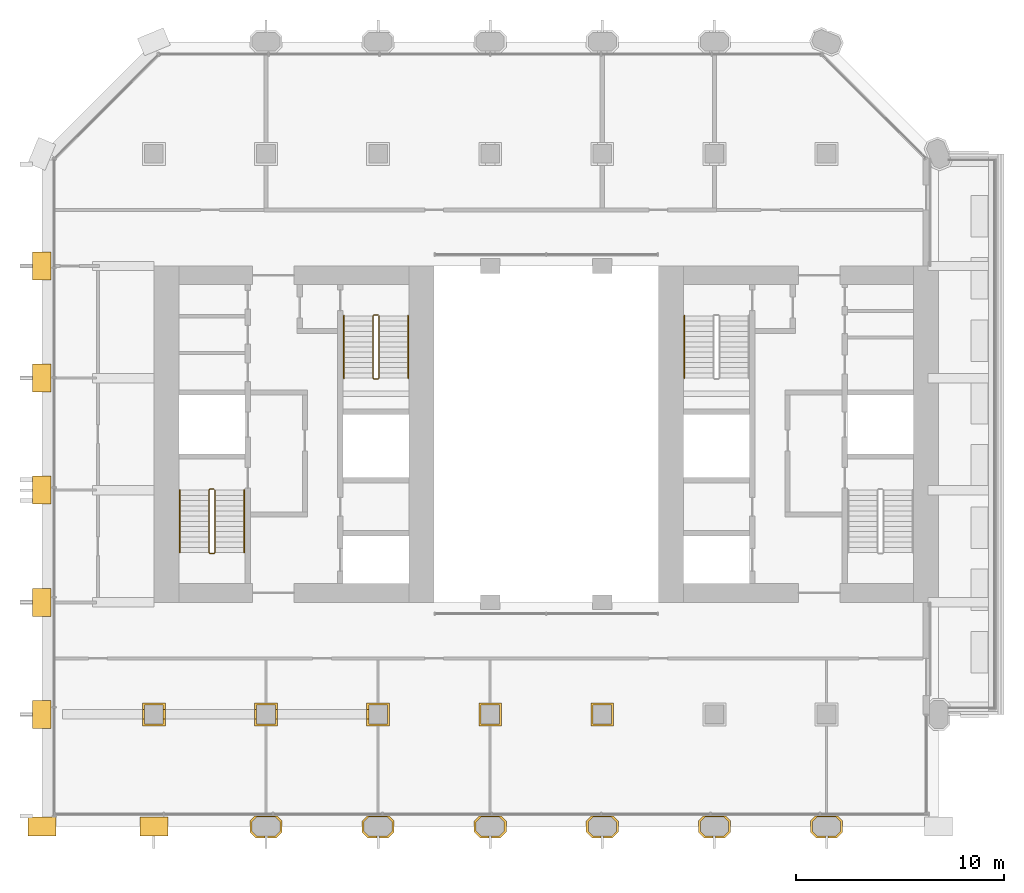
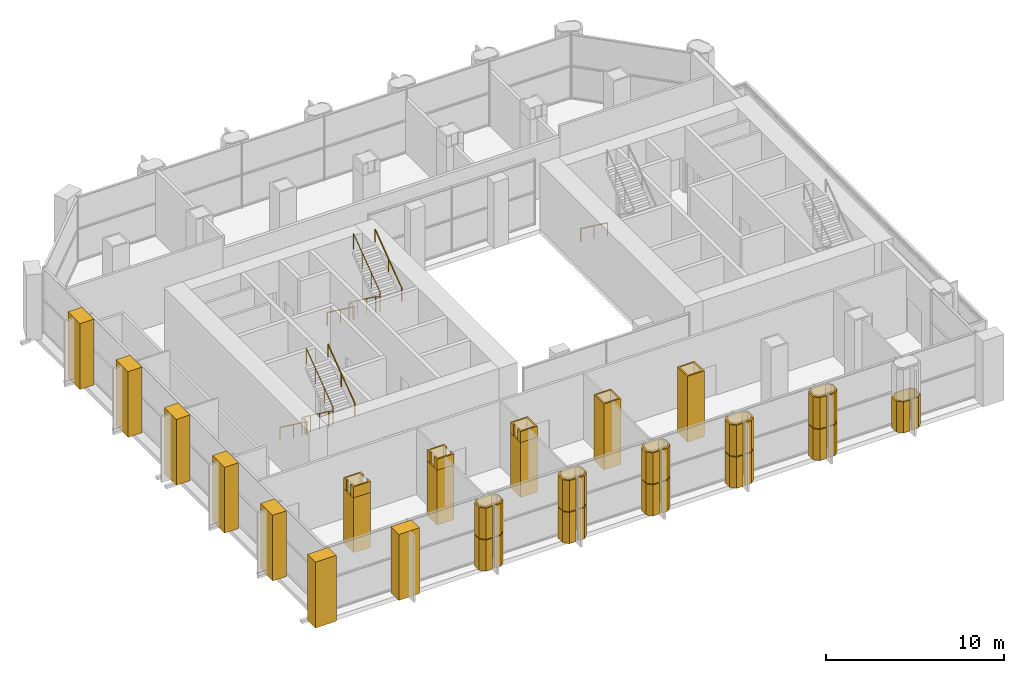
# One storey, part 13 of 15: 28 coverings, 7 railings.
"""IFC4 building model written with IfcOpenShell, lengths in metres."""

import ifcopenshell
import ifcopenshell.guid

model = None  # the IFC model being written
_history = None  # IfcOwnerHistory: only IFC2X3 demands one
_inside = {}  # id of a spatial element -> (the spatial element, [elements in it])
_under = {}  # id of a project, library or spatial element -> (it, [spatial elements below it])
_declared = {}  # id of a project -> (the project, [libraries it declares])
_typed = {}  # id of a type object -> (the type object, [elements of that type])
_made_of = {}  # id of a material, layer set ... -> (it, [elements and type objects made of it])


def new_model(schema):
    """Start an empty IFC model of exactly this schema.

    Asked for "IFC4X3", IfcOpenShell would pick the latest addendum, in which some entities
    have other attributes; the version numbers below select the first issue.
    IFC2X3 requires an IfcOwnerHistory on every rooted entity: one is made here for all.
    """
    global model, _history
    if schema == "IFC4X3":
        model = ifcopenshell.file(schema_version=(4, 3, 0, 0))
    else:
        model = ifcopenshell.file(schema=schema)
    _inside.clear()
    _under.clear()
    _declared.clear()
    _typed.clear()
    _made_of.clear()
    _history = None
    if model.schema == "IFC2X3":
        org = make("IfcOrganization", Name="unknown")
        user = make(
            "IfcPersonAndOrganization",
            ThePerson=make("IfcPerson", FamilyName="unknown"),
            TheOrganization=org,
        )
        app = make(
            "IfcApplication",
            ApplicationDeveloper=org,
            Version="unknown",
            ApplicationFullName="unknown",
            ApplicationIdentifier="unknown",
        )
        _history = make(
            "IfcOwnerHistory",
            OwningUser=user,
            OwningApplication=app,
            ChangeAction="ADDED",
            CreationDate=0,
        )
    return model


def make(cls, **values):
    """One entity of the class cls with the attributes given. An attribute that is None is left unset."""
    return model.create_entity(
        cls, **{name: value for name, value in values.items() if value is not None}
    )


def rooted(cls, **values):
    """An entity with a GlobalId (a new one), such as an element, a storey or a relation."""
    return make(cls, GlobalId=ifcopenshell.guid.new(), OwnerHistory=_history, **values)


def si_unit(unit_type, name, prefix=None):
    """IfcSIUnit, for example si_unit("LENGTHUNIT", "METRE", prefix="MILLI")."""
    return make("IfcSIUnit", UnitType=unit_type, Prefix=prefix, Name=name)


def assignment(units):
    """IfcUnitAssignment: the units of a project."""
    return None if units is None else make("IfcUnitAssignment", Units=units)


def point(xyz):
    """IfcCartesianPoint."""
    return None if xyz is None else make("IfcCartesianPoint", Coordinates=xyz)


def direction(xyz):
    """IfcDirection."""
    return None if xyz is None else make("IfcDirection", DirectionRatios=xyz)


def frame(location, z_axis=None, x_axis=None):
    """IfcAxis2Placement3D, a coordinate frame: its origin and axes. An axis left out is left unset."""
    return make(
        "IfcAxis2Placement3D",
        Location=point(location),
        Axis=direction(z_axis),
        RefDirection=direction(x_axis),
    )


def frame_2d(location, x_axis=None):
    """IfcAxis2Placement2D, a coordinate frame in the plane: its origin and x axis."""
    return make(
        "IfcAxis2Placement2D", Location=point(location), RefDirection=direction(x_axis)
    )


def origin():
    """The frame at (0, 0, 0) with its axes left unset."""
    return frame((0.0, 0.0, 0.0))


def origin_2d():
    """The frame at (0, 0) in the plane with its x axis left unset."""
    return frame_2d((0.0, 0.0))


def place(relative_to, where):
    """IfcLocalPlacement: puts the frame where relative to a parent placement (None: the world)."""
    return make(
        "IfcLocalPlacement", PlacementRelTo=relative_to, RelativePlacement=where
    )


def context(
    kind, dimensions, precision=None, world=None, true_north=None, identifier=None
):
    """IfcGeometricRepresentationContext, for example the 3D "Model" context."""
    return make(
        "IfcGeometricRepresentationContext",
        ContextIdentifier=identifier,
        ContextType=kind,
        CoordinateSpaceDimension=dimensions,
        Precision=precision,
        WorldCoordinateSystem=world,
        TrueNorth=true_north,
    )


def subcontext(parent, identifier, kind, view, scale=None):
    """IfcGeometricRepresentationSubContext, for example "Body" below "Model"."""
    return make(
        "IfcGeometricRepresentationSubContext",
        ContextIdentifier=identifier,
        ContextType=kind,
        ParentContext=parent,
        TargetScale=scale,
        TargetView=view,
    )


def project(units=None, contexts=None):
    """IfcProject with its units and contexts."""
    return rooted(
        "IfcProject",
        Name="project",
        RepresentationContexts=contexts,
        UnitsInContext=assignment(units),
    )


def spatial(cls, under=None, at=None, **own):
    """A site, building, storey or space (cls), placed at a placement, below another one or the project."""
    s = rooted(cls, ObjectPlacement=at, **own)
    if under is not None:
        _under.setdefault(under.id(), (under, []))[1].append(s)
    return s


def polyline(points):
    """IfcPolyline through the points."""
    return make("IfcPolyline", Points=[point(p) for p in points])


def profile(cls, at=None, kind="AREA", **sizes):
    """A parametric profile (cls). Its sizes go by their IFC names, for example OverallWidth=200.0."""
    return make(cls, ProfileType=kind, Position=at, **sizes)


def rectangle(**sizes):
    """IfcRectangleProfileDef."""
    return profile("IfcRectangleProfileDef", **sizes)


def circle(**sizes):
    """IfcCircleProfileDef."""
    return profile("IfcCircleProfileDef", **sizes)


def outline(outer, holes=None, kind="AREA"):
    """IfcArbitraryClosedProfileDef: a profile drawn as a closed curve; with holes, ...WithVoids."""
    if holes is None:
        return make("IfcArbitraryClosedProfileDef", ProfileType=kind, OuterCurve=outer)
    return make(
        "IfcArbitraryProfileDefWithVoids",
        ProfileType=kind,
        OuterCurve=outer,
        InnerCurves=holes,
    )


def extrude(swept, where, along, depth):
    """IfcExtrudedAreaSolid: the profile swept, set in the frame where, extruded along a direction by depth."""
    return make(
        "IfcExtrudedAreaSolid",
        SweptArea=swept,
        Position=where,
        ExtrudedDirection=direction(along),
        Depth=depth,
    )


def shape(context_of_items, identifier, shape_type, items):
    """IfcShapeRepresentation: the items that make up one representation, for example the "Body"."""
    return make(
        "IfcShapeRepresentation",
        ContextOfItems=context_of_items,
        RepresentationIdentifier=identifier,
        RepresentationType=shape_type,
        Items=items,
    )


def material(Name=None, Category=None):
    """IfcMaterial."""
    return make("IfcMaterial", Name=Name, Category=Category)


def layer(
    of_material, thickness, ventilated=None, Name=None, Category=None, Priority=None
):
    """IfcMaterialLayer: one layer of a wall or slab, of a material (None: an air gap)."""
    return make(
        "IfcMaterialLayer",
        Material=of_material,
        LayerThickness=thickness,
        IsVentilated=ventilated,
        Name=Name,
        Category=Category,
        Priority=Priority,
    )


def layer_set(layers, Name=None):
    """IfcMaterialLayerSet."""
    return make("IfcMaterialLayerSet", MaterialLayers=layers, LayerSetName=Name)


def made_of(thing, what):
    """Note that an element or type object is made of a material, layer set ...; save() writes the relation."""
    if what is not None:
        _made_of.setdefault(what.id(), (what, []))[1].append(thing)
    return thing


def type_object(cls, material=None, **own):
    """A type object (cls), such as IfcWallType, which elements share."""
    return made_of(rooted(cls, **own), material)


def element(
    cls,
    number,
    at=None,
    inside=None,
    cuts=None,
    type_object=None,
    material=None,
    context=None,
    identifier="Body",
    shape_type=None,
    held_by="IfcProductDefinitionShape",
    body=None,
    shapes=None,
    **own,
):
    """One element of the class cls, such as IfcWall. Its Tag is "e" and its number.

    at: its placement. inside: the storey or other place that contains it. cuts: it is an
    opening in that element (IfcRelVoidsElement). A single representation is given by context,
    identifier, shape_type and body (its items); several are given by shapes. held_by: the class
    of the entity that holds the representations. save() writes the other relations.
    """
    e = rooted(cls, Tag="e%d" % number, ObjectPlacement=at, **own)
    if body is not None:
        shapes = [shape(context, identifier, shape_type, body)]
    if shapes is not None:
        e.Representation = make(held_by, Representations=shapes)
    if inside is not None:
        _inside.setdefault(inside.id(), (inside, []))[1].append(e)
    if cuts is not None:
        rooted(
            "IfcRelVoidsElement", RelatingBuildingElement=cuts, RelatedOpeningElement=e
        )
    if type_object is not None:
        _typed.setdefault(type_object.id(), (type_object, []))[1].append(e)
    return made_of(e, material)


def aggregate(whole, parts):
    """IfcRelAggregates: a whole, such as a stair, and the parts it consists of."""
    return rooted("IfcRelAggregates", RelatingObject=whole, RelatedObjects=parts)


def save(model, path):
    """Write the relations noted so far, then the file.

    IfcRelAggregates (storeys below a building ...), IfcRelContainedInSpatialStructure (elements
    in a storey), IfcRelDefinesByType, IfcRelAssociatesMaterial and IfcRelDeclares: one each for
    every whole, place, type object, material and project.
    """
    for whole, parts in _under.values():
        aggregate(whole, parts)
    for where, things in _inside.values():
        rooted(
            "IfcRelContainedInSpatialStructure",
            RelatedElements=things,
            RelatingStructure=where,
        )
    for kind, things in _typed.values():
        rooted("IfcRelDefinesByType", RelatedObjects=things, RelatingType=kind)
    for what, things in _made_of.values():
        rooted("IfcRelAssociatesMaterial", RelatedObjects=things, RelatingMaterial=what)
    for by, libraries in _declared.values():
        rooted("IfcRelDeclares", RelatingContext=by, RelatedDefinitions=libraries)
    model.write(path)


model = new_model("IFC4")

# Units and contexts
model_context = context("Model", 3, precision=1e-05, world=origin(), true_north=direction((0.0, 1.0)))
body_context = subcontext(model_context, "Body", "Model", "MODEL_VIEW")
ifc_project = project(units=[si_unit("LENGTHUNIT", "METRE"), si_unit("AREAUNIT", "SQUARE_METRE"), si_unit("VOLUMEUNIT", "CUBIC_METRE"), si_unit("PLANEANGLEUNIT", "RADIAN"), si_unit("MASSUNIT", "GRAM", prefix="KILO")], contexts=[model_context])

# Site, building, storey
site_placement = place(None, origin())
site = spatial("IfcSite", under=ifc_project, at=site_placement, CompositionType="ELEMENT")
building_placement = place(site_placement, origin())
building = spatial("IfcBuilding", under=site, at=building_placement, Name="Tabaq Tower and Sports Hall", CompositionType="ELEMENT")
storey_placement = place(building_placement, frame((0.0, 0.0, 143.199951171875)))
storey = spatial("IfcBuildingStorey", under=building, at=storey_placement, Name="L33", CompositionType="ELEMENT", Elevation=143.199951171875)

# Coverings
ifc_material_1 = material(Name="Precast concrete C60/75", Category="concrete")
ifc_layer = layer(ifc_material_1, 0.10009765625)
ifc_layer_set = layer_set([ifc_layer], Name="Column cladding 100")
covering_type_1 = type_object("IfcCoveringType", Name="Column cladding 100", PredefinedType="CLADDING", material=ifc_layer_set)
covering_1_placement = place(storey_placement, origin())
element("IfcCovering", 1, at=covering_1_placement, inside=storey, type_object=covering_type_1, Name="Column cladding L33 CC-2C-S1", PredefinedType="CLADDING", context=body_context, shape_type="SweptSolid", body=[
    extrude(outline(polyline([(4.850341796875, 11.349609375), (5.94970703125, 11.349609375), (5.94970703125, 10.250244140625), (4.850341796875, 10.250244140625), (4.850341796875, 11.349609375)]), holes=[polyline([(5.850341796875, 10.349609375), (5.850341796875, 11.250244140625), (4.94970703125, 11.250244140625), (4.94970703125, 10.349609375), (5.850341796875, 10.349609375)])]), origin(), (0.0, 0.0, 1.0), 3.75),
])
covering_2_placement = place(storey_placement, frame((0.0, 0.0, 3.75)))
element("IfcCovering", 2, at=covering_2_placement, inside=storey, type_object=covering_type_1, Name="Column cladding L33 CC-2C-S1 head", PredefinedType="CLADDING", context=body_context, shape_type="SweptSolid", body=[
    extrude(outline(polyline([(5.94970703125, 10.250244140625), (4.850341796875, 10.250244140625), (4.850341796875, 10.57470703125), (4.94970703125, 10.57470703125), (4.94970703125, 10.349609375), (5.850341796875, 10.349609375), (5.850341796875, 10.57470703125), (5.94970703125, 10.57470703125), (5.94970703125, 10.250244140625)])), origin(), (0.0, 0.0, 1.0), 0.75),
])
covering_3_placement = place(storey_placement, frame((0.0, 0.0, 3.75)))
element("IfcCovering", 3, at=covering_3_placement, inside=storey, type_object=covering_type_1, Name="Column cladding L33 CC-2C-S1 head 2", PredefinedType="CLADDING", context=body_context, shape_type="SweptSolid", body=[
    extrude(outline(polyline([(5.94970703125, 11.349609375), (5.94970703125, 11.025390625), (5.850341796875, 11.025390625), (5.850341796875, 11.250244140625), (4.94970703125, 11.250244140625), (4.94970703125, 11.025390625), (4.850341796875, 11.025390625), (4.850341796875, 11.349609375), (5.94970703125, 11.349609375)])), origin(), (0.0, 0.0, 1.0), 0.75),
])
covering_4_placement = place(storey_placement, frame((0.0, 0.0, 0.10009765625)))
element("IfcCovering", 4, at=covering_4_placement, inside=storey, type_object=covering_type_1, Name="Column cladding L33 PC-3B-S1", PredefinedType="CLADDING", context=body_context, shape_type="SweptSolid", body=[
    extrude(outline(polyline([(10.025390625, 5.666259765625), (10.268798828125, 5.90966796875), (11.331298828125, 5.90966796875), (11.57470703125, 5.666259765625), (11.57470703125, 5.1337890625), (11.291259765625, 4.850341796875), (10.8603515625, 4.850341796875), (10.8603515625, 4.94970703125), (11.250244140625, 4.94970703125), (11.475341796875, 5.1748046875), (11.475341796875, 5.625244140625), (11.250244140625, 5.850341796875), (10.349853515625, 5.850341796875), (10.124755859375, 5.625244140625), (10.124755859375, 5.1748046875), (10.349853515625, 4.94970703125), (10.73974609375, 4.94970703125), (10.73974609375, 4.850341796875), (10.30859375, 4.850341796875), (10.025390625, 5.1337890625), (10.025390625, 5.666259765625)])), origin(), (0.0, 0.0, 1.0), 2.119873046875),
])
covering_5_placement = place(storey_placement, frame((0.0, 0.0, 2.280029296875)))
element("IfcCovering", 5, at=covering_5_placement, inside=storey, type_object=covering_type_1, Name="Column cladding L33 PC-3B-S1 2", PredefinedType="CLADDING", context=body_context, shape_type="SweptSolid", body=[
    extrude(outline(polyline([(10.025390625, 5.666259765625), (10.268798828125, 5.90966796875), (11.331298828125, 5.90966796875), (11.57470703125, 5.666259765625), (11.57470703125, 5.1337890625), (11.291259765625, 4.850341796875), (10.8603515625, 4.850341796875), (10.8603515625, 4.94970703125), (11.250244140625, 4.94970703125), (11.475341796875, 5.1748046875), (11.475341796875, 5.625244140625), (11.250244140625, 5.850341796875), (10.349853515625, 5.850341796875), (10.124755859375, 5.625244140625), (10.124755859375, 5.1748046875), (10.349853515625, 4.94970703125), (10.73974609375, 4.94970703125), (10.73974609375, 4.850341796875), (10.30859375, 4.850341796875), (10.025390625, 5.1337890625), (10.025390625, 5.666259765625)])), origin(), (0.0, 0.0, 1.0), 2.1201171875),
])
covering_6_placement = place(storey_placement, origin())
element("IfcCovering", 6, at=covering_6_placement, inside=storey, type_object=covering_type_1, Name="Column cladding L33 CC-3C-S1", PredefinedType="CLADDING", context=body_context, shape_type="SweptSolid", body=[
    extrude(outline(polyline([(10.250244140625, 11.349609375), (11.349609375, 11.349609375), (11.349609375, 10.250244140625), (10.250244140625, 10.250244140625), (10.250244140625, 11.349609375)]), holes=[polyline([(11.250244140625, 10.349609375), (11.250244140625, 11.250244140625), (10.349609375, 11.250244140625), (10.349609375, 10.349609375), (11.250244140625, 10.349609375)])]), origin(), (0.0, 0.0, 1.0), 3.75),
])
covering_7_placement = place(storey_placement, frame((0.0, 0.0, 3.75)))
element("IfcCovering", 7, at=covering_7_placement, inside=storey, type_object=covering_type_1, Name="Column cladding L33 CC-3C-S1 head", PredefinedType="CLADDING", context=body_context, shape_type="SweptSolid", body=[
    extrude(outline(polyline([(10.349365234375, 10.574462890625), (10.349365234375, 10.349365234375), (11.25048828125, 10.349365234375), (11.25048828125, 10.574462890625), (11.349365234375, 10.574462890625), (11.349365234375, 10.25048828125), (10.25048828125, 10.25048828125), (10.25048828125, 10.574462890625), (10.349365234375, 10.574462890625)])), origin(), (0.0, 0.0, 1.0), 0.75),
])
covering_8_placement = place(storey_placement, frame((0.0, 0.0, 3.75)))
element("IfcCovering", 8, at=covering_8_placement, inside=storey, type_object=covering_type_1, Name="Column cladding L33 CC-3C-S1 head 2", PredefinedType="CLADDING", context=body_context, shape_type="SweptSolid", body=[
    extrude(outline(polyline([(10.349365234375, 11.025634765625), (10.25048828125, 11.025634765625), (10.25048828125, 11.349365234375), (11.349365234375, 11.349365234375), (11.349365234375, 11.025634765625), (11.25048828125, 11.025634765625), (11.25048828125, 11.25048828125), (10.349365234375, 11.25048828125), (10.349365234375, 11.025634765625)])), origin(), (0.0, 0.0, 1.0), 0.75),
])
covering_9_placement = place(storey_placement, frame((0.0, 0.0, 0.10009765625)))
element("IfcCovering", 9, at=covering_9_placement, inside=storey, type_object=covering_type_1, Name="Column cladding L33 PC-4B-S1", PredefinedType="CLADDING", context=body_context, shape_type="SweptSolid", body=[
    extrude(outline(polyline([(15.42529296875, 5.666259765625), (15.668701171875, 5.90966796875), (16.731201171875, 5.90966796875), (16.974609375, 5.666259765625), (16.974609375, 5.1337890625), (16.69140625, 4.850341796875), (16.26025390625, 4.850341796875), (16.26025390625, 4.94970703125), (16.650146484375, 4.94970703125), (16.875244140625, 5.1748046875), (16.875244140625, 5.625244140625), (16.650146484375, 5.850341796875), (15.749755859375, 5.850341796875), (15.524658203125, 5.625244140625), (15.524658203125, 5.1748046875), (15.749755859375, 4.94970703125), (16.1396484375, 4.94970703125), (16.1396484375, 4.850341796875), (15.708740234375, 4.850341796875), (15.42529296875, 5.1337890625), (15.42529296875, 5.666259765625)])), origin(), (0.0, 0.0, 1.0), 2.119873046875),
])
covering_10_placement = place(storey_placement, frame((0.0, 0.0, 2.280029296875)))
element("IfcCovering", 10, at=covering_10_placement, inside=storey, type_object=covering_type_1, Name="Column cladding L33 PC-4B-S1 2", PredefinedType="CLADDING", context=body_context, shape_type="SweptSolid", body=[
    extrude(outline(polyline([(15.42529296875, 5.666259765625), (15.668701171875, 5.90966796875), (16.731201171875, 5.90966796875), (16.974609375, 5.666259765625), (16.974609375, 5.1337890625), (16.69140625, 4.850341796875), (16.26025390625, 4.850341796875), (16.26025390625, 4.94970703125), (16.650146484375, 4.94970703125), (16.875244140625, 5.1748046875), (16.875244140625, 5.625244140625), (16.650146484375, 5.850341796875), (15.749755859375, 5.850341796875), (15.524658203125, 5.625244140625), (15.524658203125, 5.1748046875), (15.749755859375, 4.94970703125), (16.1396484375, 4.94970703125), (16.1396484375, 4.850341796875), (15.708740234375, 4.850341796875), (15.42529296875, 5.1337890625), (15.42529296875, 5.666259765625)])), origin(), (0.0, 0.0, 1.0), 2.1201171875),
])
covering_11_placement = place(storey_placement, origin())
element("IfcCovering", 11, at=covering_11_placement, inside=storey, type_object=covering_type_1, Name="Column cladding L33 CC-4C-S1", PredefinedType="CLADDING", context=body_context, shape_type="SweptSolid", body=[
    extrude(outline(polyline([(15.650390625, 11.349609375), (16.749755859375, 11.349609375), (16.749755859375, 10.250244140625), (15.650390625, 10.250244140625), (15.650390625, 11.349609375)]), holes=[polyline([(16.650390625, 10.349609375), (16.650390625, 11.250244140625), (15.749755859375, 11.250244140625), (15.749755859375, 10.349609375), (16.650390625, 10.349609375)])]), origin(), (0.0, 0.0, 1.0), 3.75),
])
covering_12_placement = place(storey_placement, frame((0.0, 0.0, 3.75)))
element("IfcCovering", 12, at=covering_12_placement, inside=storey, type_object=covering_type_1, Name="Column cladding L33 CC-4C-S1 head", PredefinedType="CLADDING", context=body_context, shape_type="SweptSolid", body=[
    extrude(outline(polyline([(16.749755859375, 11.349609375), (16.749755859375, 10.250244140625), (15.650390625, 10.250244140625), (15.650390625, 10.57470703125), (15.749755859375, 10.57470703125), (15.749755859375, 10.349609375), (16.650390625, 10.349609375), (16.650390625, 11.250244140625), (15.749755859375, 11.250244140625), (15.749755859375, 11.025390625), (15.650390625, 11.025390625), (15.650390625, 11.349609375), (16.749755859375, 11.349609375)])), origin(), (0.0, 0.0, 1.0), 0.75),
])
covering_13_placement = place(storey_placement, frame((0.0, 0.0, 0.10009765625)))
element("IfcCovering", 13, at=covering_13_placement, inside=storey, type_object=covering_type_1, Name="Column cladding L33 PC-5B-S1", PredefinedType="CLADDING", context=body_context, shape_type="SweptSolid", body=[
    extrude(outline(polyline([(20.8251953125, 5.666259765625), (21.068603515625, 5.90966796875), (22.13134765625, 5.90966796875), (22.374755859375, 5.666259765625), (22.374755859375, 5.1337890625), (22.09130859375, 4.850341796875), (21.660400390625, 4.850341796875), (21.660400390625, 4.94970703125), (22.050048828125, 4.94970703125), (22.275390625, 5.1748046875), (22.275390625, 5.625244140625), (22.050048828125, 5.850341796875), (21.14990234375, 5.850341796875), (20.9248046875, 5.625244140625), (20.9248046875, 5.1748046875), (21.14990234375, 4.94970703125), (21.539794921875, 4.94970703125), (21.539794921875, 4.850341796875), (21.108642578125, 4.850341796875), (20.8251953125, 5.1337890625), (20.8251953125, 5.666259765625)])), origin(), (0.0, 0.0, 1.0), 2.119873046875),
])
covering_14_placement = place(storey_placement, frame((0.0, 0.0, 2.280029296875)))
element("IfcCovering", 14, at=covering_14_placement, inside=storey, type_object=covering_type_1, Name="Column cladding L33 PC-5B-S1 2", PredefinedType="CLADDING", context=body_context, shape_type="SweptSolid", body=[
    extrude(outline(polyline([(20.8251953125, 5.666259765625), (21.068603515625, 5.90966796875), (22.13134765625, 5.90966796875), (22.374755859375, 5.666259765625), (22.374755859375, 5.1337890625), (22.09130859375, 4.850341796875), (21.660400390625, 4.850341796875), (21.660400390625, 4.94970703125), (22.050048828125, 4.94970703125), (22.275390625, 5.1748046875), (22.275390625, 5.625244140625), (22.050048828125, 5.850341796875), (21.14990234375, 5.850341796875), (20.9248046875, 5.625244140625), (20.9248046875, 5.1748046875), (21.14990234375, 4.94970703125), (21.539794921875, 4.94970703125), (21.539794921875, 4.850341796875), (21.108642578125, 4.850341796875), (20.8251953125, 5.1337890625), (20.8251953125, 5.666259765625)])), origin(), (0.0, 0.0, 1.0), 2.1201171875),
])
covering_15_placement = place(storey_placement, origin())
element("IfcCovering", 15, at=covering_15_placement, inside=storey, type_object=covering_type_1, Name="Column cladding L33 CC-5C-S1", PredefinedType="CLADDING", context=body_context, shape_type="SweptSolid", body=[
    extrude(outline(polyline([(21.05029296875, 11.349609375), (22.149658203125, 11.349609375), (22.149658203125, 10.250244140625), (21.05029296875, 10.250244140625), (21.05029296875, 11.349609375)]), holes=[polyline([(22.05029296875, 10.349609375), (22.05029296875, 11.250244140625), (21.149658203125, 11.250244140625), (21.149658203125, 10.349609375), (22.05029296875, 10.349609375)])]), origin(), (0.0, 0.0, 1.0), 4.5),
])
covering_16_placement = place(storey_placement, frame((0.0, 0.0, 0.10009765625)))
element("IfcCovering", 16, at=covering_16_placement, inside=storey, type_object=covering_type_1, Name="Column cladding L33 PC-6B-S1", PredefinedType="CLADDING", context=body_context, shape_type="SweptSolid", body=[
    extrude(outline(polyline([(26.225341796875, 5.666259765625), (26.46875, 5.90966796875), (27.53125, 5.90966796875), (27.774658203125, 5.666259765625), (27.774658203125, 5.1337890625), (27.4912109375, 4.850341796875), (27.060302734375, 4.850341796875), (27.060302734375, 4.94970703125), (27.4501953125, 4.94970703125), (27.67529296875, 5.1748046875), (27.67529296875, 5.625244140625), (27.4501953125, 5.850341796875), (26.5498046875, 5.850341796875), (26.32470703125, 5.625244140625), (26.32470703125, 5.1748046875), (26.5498046875, 4.94970703125), (26.939697265625, 4.94970703125), (26.939697265625, 4.850341796875), (26.5087890625, 4.850341796875), (26.225341796875, 5.1337890625), (26.225341796875, 5.666259765625)])), origin(), (0.0, 0.0, 1.0), 2.119873046875),
])
covering_17_placement = place(storey_placement, frame((0.0, 0.0, 2.280029296875)))
element("IfcCovering", 17, at=covering_17_placement, inside=storey, type_object=covering_type_1, Name="Column cladding L33 PC-6B-S1 2", PredefinedType="CLADDING", context=body_context, shape_type="SweptSolid", body=[
    extrude(outline(polyline([(26.225341796875, 5.666259765625), (26.46875, 5.90966796875), (27.53125, 5.90966796875), (27.774658203125, 5.666259765625), (27.774658203125, 5.1337890625), (27.4912109375, 4.850341796875), (27.060302734375, 4.850341796875), (27.060302734375, 4.94970703125), (27.4501953125, 4.94970703125), (27.67529296875, 5.1748046875), (27.67529296875, 5.625244140625), (27.4501953125, 5.850341796875), (26.5498046875, 5.850341796875), (26.32470703125, 5.625244140625), (26.32470703125, 5.1748046875), (26.5498046875, 4.94970703125), (26.939697265625, 4.94970703125), (26.939697265625, 4.850341796875), (26.5087890625, 4.850341796875), (26.225341796875, 5.1337890625), (26.225341796875, 5.666259765625)])), origin(), (0.0, 0.0, 1.0), 2.1201171875),
])
covering_18_placement = place(storey_placement, origin())
element("IfcCovering", 18, at=covering_18_placement, inside=storey, type_object=covering_type_1, Name="Column cladding L33 CC-6C-S1", PredefinedType="CLADDING", context=body_context, shape_type="SweptSolid", body=[
    extrude(outline(polyline([(26.4501953125, 11.349609375), (27.5498046875, 11.349609375), (27.5498046875, 10.250244140625), (26.4501953125, 10.250244140625), (26.4501953125, 11.349609375)]), holes=[polyline([(27.4501953125, 10.349609375), (27.4501953125, 11.250244140625), (26.5498046875, 11.250244140625), (26.5498046875, 10.349609375), (27.4501953125, 10.349609375)])]), origin(), (0.0, 0.0, 1.0), 4.5),
])
covering_19_placement = place(storey_placement, frame((0.0, 0.0, 0.10009765625)))
element("IfcCovering", 19, at=covering_19_placement, inside=storey, type_object=covering_type_1, Name="Column cladding L33 PC-7B-S1", PredefinedType="CLADDING", context=body_context, shape_type="SweptSolid", body=[
    extrude(outline(polyline([(31.625244140625, 5.666259765625), (31.86865234375, 5.90966796875), (32.931396484375, 5.90966796875), (33.1748046875, 5.666259765625), (33.1748046875, 5.1337890625), (32.891357421875, 4.850341796875), (32.460205078125, 4.850341796875), (32.460205078125, 4.94970703125), (32.85009765625, 4.94970703125), (33.0751953125, 5.1748046875), (33.0751953125, 5.625244140625), (32.85009765625, 5.850341796875), (31.949951171875, 5.850341796875), (31.724609375, 5.625244140625), (31.724609375, 5.1748046875), (31.949951171875, 4.94970703125), (32.339599609375, 4.94970703125), (32.339599609375, 4.850341796875), (31.90869140625, 4.850341796875), (31.625244140625, 5.1337890625), (31.625244140625, 5.666259765625)])), origin(), (0.0, 0.0, 1.0), 2.119873046875),
])
covering_20_placement = place(storey_placement, frame((0.0, 0.0, 2.280029296875)))
element("IfcCovering", 20, at=covering_20_placement, inside=storey, type_object=covering_type_1, Name="Column cladding L33 PC-7B-S1 2", PredefinedType="CLADDING", context=body_context, shape_type="SweptSolid", body=[
    extrude(outline(polyline([(31.625244140625, 5.666259765625), (31.86865234375, 5.90966796875), (32.931396484375, 5.90966796875), (33.1748046875, 5.666259765625), (33.1748046875, 5.1337890625), (32.891357421875, 4.850341796875), (32.460205078125, 4.850341796875), (32.460205078125, 4.94970703125), (32.85009765625, 4.94970703125), (33.0751953125, 5.1748046875), (33.0751953125, 5.625244140625), (32.85009765625, 5.850341796875), (31.949951171875, 5.850341796875), (31.724609375, 5.625244140625), (31.724609375, 5.1748046875), (31.949951171875, 4.94970703125), (32.339599609375, 4.94970703125), (32.339599609375, 4.850341796875), (31.90869140625, 4.850341796875), (31.625244140625, 5.1337890625), (31.625244140625, 5.666259765625)])), origin(), (0.0, 0.0, 1.0), 2.1201171875),
])
covering_21_placement = place(storey_placement, frame((0.0, 0.0, 0.10009765625)))
element("IfcCovering", 21, at=covering_21_placement, inside=storey, type_object=covering_type_1, Name="Column cladding L33 PC-8B-S1", PredefinedType="CLADDING", context=body_context, shape_type="SweptSolid", body=[
    extrude(outline(polyline([(37.025390625, 5.666259765625), (37.268798828125, 5.90966796875), (38.331298828125, 5.90966796875), (38.57470703125, 5.666259765625), (38.57470703125, 5.1337890625), (38.291259765625, 4.850341796875), (37.8603515625, 4.850341796875), (37.8603515625, 4.94970703125), (38.250244140625, 4.94970703125), (38.475341796875, 5.1748046875), (38.475341796875, 5.625244140625), (38.250244140625, 5.850341796875), (37.349853515625, 5.850341796875), (37.124755859375, 5.625244140625), (37.124755859375, 5.1748046875), (37.349853515625, 4.94970703125), (37.73974609375, 4.94970703125), (37.73974609375, 4.850341796875), (37.30859375, 4.850341796875), (37.025390625, 5.1337890625), (37.025390625, 5.666259765625)])), origin(), (0.0, 0.0, 1.0), 2.119873046875),
])
ifc_material_2 = material(Name="White precast concrete C60/75", Category="concrete")
covering_type_2 = type_object("IfcCoveringType", Name="Pier cladding hung 1350x900", PredefinedType="CLADDING", material=ifc_material_2)
for number, where, z_axis, x_axis, name in (
    (22, (-0.675048828125, 5.39990234375, 0.0), (0.0, 0.0, 1.0), (1.0, 0.0, 0.0), "Hung pier cladding 0/1"),
    (23, (0.0, 11.47509765625, 0.0), (0.0, 0.0, 1.0), (0.0, -1.0, 0.0), "Hung pier cladding 0/2"),
    (24, (0.0, 16.875, 0.0), (0.0, 0.0, 1.0), (0.0, -1.0, 0.0), "Hung pier cladding 0/3"),
):
    element("IfcCovering", number, at=place(storey_placement, frame(where, z_axis=z_axis, x_axis=x_axis)), inside=storey, type_object=covering_type_2, Name=name, PredefinedType="CLADDING", context=body_context, shape_type="SweptSolid", body=[
        extrude(rectangle(XDim=1.35009765625, YDim=0.89990234375, at=frame_2d((0.675048828125, 0.0))), origin(), (0.0, 0.0, 1.0), 4.5),
    ])
covering_22_placement = place(storey_placement, frame((0.0, 22.27490234375, 0.0), z_axis=(0.0, 0.0, 1.0), x_axis=(0.0, -1.0, 0.0)))
element("IfcCovering", 25, at=covering_22_placement, inside=storey, type_object=covering_type_2, Name="Hung pier cladding 0/4", PredefinedType="CLADDING", context=body_context, shape_type="SweptSolid", body=[
    extrude(rectangle(XDim=1.349853515625, YDim=0.89990234375, at=frame_2d((0.6748046875, 0.0))), origin(), (0.0, 0.0, 1.0), 4.5),
])
covering_23_placement = place(storey_placement, frame((0.0, 27.675048828125, 0.0), z_axis=(0.0, 0.0, 1.0), x_axis=(0.0, -1.0, 0.0)))
element("IfcCovering", 26, at=covering_23_placement, inside=storey, type_object=covering_type_2, Name="Hung pier cladding 0/5", PredefinedType="CLADDING", context=body_context, shape_type="SweptSolid", body=[
    extrude(rectangle(XDim=1.35009765625, YDim=0.89990234375, at=frame_2d((0.675048828125, 0.0))), origin(), (0.0, 0.0, 1.0), 4.5),
])
for number, where, z_axis, x_axis, name in (
    (27, (0.0, 33.074951171875, 0.0), (0.0, 0.0, 1.0), (0.0, -1.0, 0.0), "Hung pier cladding 0/6"),
    (28, (4.72509765625, 5.39990234375, 0.0), (0.0, 0.0, 1.0), (1.0, 0.0, 0.0), "Hung pier cladding 1/1"),
):
    element("IfcCovering", number, at=place(storey_placement, frame(where, z_axis=z_axis, x_axis=x_axis)), inside=storey, type_object=covering_type_2, Name=name, PredefinedType="CLADDING", context=body_context, shape_type="SweptSolid", body=[
        extrude(rectangle(XDim=1.349853515625, YDim=0.89990234375, at=frame_2d((0.6748046875, 0.0))), origin(), (0.0, 0.0, 1.0), 4.5),
    ])

# Railings
ifc_material_3 = material(Name="Stainless steel", Category="steel")
railing_type_1 = type_object("IfcRailingType", Name="Stair guard", PredefinedType="GUARDRAIL", material=ifc_material_3)
railing_1_placement = place(storey_placement, frame((8.300048828125, 21.64990234375, 0.0)))
element("IfcRailing", 29, at=railing_1_placement, inside=storey, type_object=railing_type_1, Name="L33 ST1 stair guard 1", PredefinedType="GUARDRAIL", context=body_context, shape_type="SweptSolid", body=[
    extrude(circle(Radius=0.02392578125, at=origin_2d()), frame((0.0, 0.0, 1.076171875), z_axis=(-1.0, 0.0, 0.0), x_axis=(0.0, -1.0, 0.0)), (0.0, 0.0, 1.0), 0.199951171875),
    extrude(circle(Radius=0.02392578125, at=origin_2d()), frame((-0.199951171875, 0.0, 1.076171875), z_axis=(-0.253264628505, -0.252029191293, 0.933990532438), x_axis=(0.705375805398, -0.708833529934, 0.0)), (0.0, 0.0, 1.0), 0.197509765625),
    extrude(circle(Radius=0.02392578125, at=origin_2d()), frame((-0.25, -0.0498046875, 1.2607421875), z_axis=(0.0, -0.804408721428, 0.594076265214), x_axis=(1.0, 0.0, 0.0)), (0.0, 0.0, 1.0), 3.7294921875),
    extrude(circle(Radius=0.02392578125, at=origin_2d()), frame((-0.25, -3.0498046875, 3.47607421875), z_axis=(0.707106781187, -0.707106781187, 0.0), x_axis=(0.707106781187, 0.707106781187, 0.0)), (0.0, 0.0, 1.0), 0.07080078125),
    extrude(circle(Radius=0.02392578125, at=origin_2d()), frame((-0.199951171875, -3.099853515625, 3.47607421875), z_axis=(1.0, 0.0, 0.0), x_axis=(0.0, 1.0, 0.0)), (0.0, 0.0, 1.0), 0.199951171875),
    extrude(circle(Radius=0.02392578125, at=origin_2d()), frame((0.0, -3.099853515625, 3.47607421875), z_axis=(0.253185614162, 0.253185614162, 0.933699142959), x_axis=(-0.707106781187, 0.707106781187, 0.0)), (0.0, 0.0, 1.0), 0.19775390625),
    extrude(circle(Radius=0.02392578125, at=origin_2d()), frame((0.050048828125, -3.0498046875, 3.66064453125), z_axis=(0.0, 0.804440004972, 0.594033903411), x_axis=(-1.0, 0.0, 0.0)), (0.0, 0.0, 1.0), 3.729248046875),
    extrude(circle(Radius=0.02099609375, at=origin_2d()), origin(), (0.0, 0.0, 1.0), 1.052001953125),
    extrude(circle(Radius=0.02099609375, at=origin_2d()), frame((-0.199951171875, 0.0, 0.0)), (0.0, 0.0, 1.0), 1.052001953125),
    extrude(circle(Radius=0.02099609375, at=origin_2d()), frame((-0.25, -0.0498046875, 0.1845703125)), (0.0, 0.0, 1.0), 1.052001953125),
    extrude(circle(Radius=0.02099609375, at=origin_2d()), frame((-0.25, -1.0498046875, 0.923095703125)), (0.0, 0.0, 1.0), 1.052001953125),
    extrude(circle(Radius=0.02099609375, at=origin_2d()), frame((-0.25, -2.0498046875, 1.66162109375)), (0.0, 0.0, 1.0), 1.052001953125),
    extrude(circle(Radius=0.02099609375, at=origin_2d()), frame((-0.25, -3.0498046875, 2.400146484375)), (0.0, 0.0, 1.0), 1.052001953125),
    extrude(circle(Radius=0.02099609375, at=origin_2d()), frame((-0.199951171875, -3.099853515625, 2.400146484375)), (0.0, 0.0, 1.0), 1.052001953125),
    extrude(circle(Radius=0.02099609375, at=origin_2d()), frame((0.0, -3.099853515625, 2.400146484375)), (0.0, 0.0, 1.0), 1.052001953125),
    extrude(circle(Radius=0.02099609375, at=origin_2d()), frame((0.050048828125, -3.0498046875, 2.584716796875)), (0.0, 0.0, 1.0), 1.052001953125),
    extrude(circle(Radius=0.02099609375, at=origin_2d()), frame((0.050048828125, -2.0498046875, 3.3232421875)), (0.0, 0.0, 1.0), 1.052001953125),
    extrude(circle(Radius=0.02099609375, at=origin_2d()), frame((0.050048828125, -1.0498046875, 4.0615234375)), (0.0, 0.0, 1.0), 1.052001953125),
    extrude(circle(Radius=0.02099609375, at=origin_2d()), frame((0.050048828125, -0.0498046875, 4.800048828125)), (0.0, 0.0, 1.0), 1.052001953125),
])
railing_2_placement = place(storey_placement, frame((16.199951171875, 30.050048828125, 0.0)))
element("IfcRailing", 30, at=railing_2_placement, inside=storey, type_object=railing_type_1, Name="L33 ST2 stair guard 1", PredefinedType="GUARDRAIL", context=body_context, shape_type="SweptSolid", body=[
    extrude(circle(Radius=0.02392578125, at=origin_2d()), frame((0.0, 0.0, 1.076171875), z_axis=(-1.0, 0.0, 0.0), x_axis=(0.0, -1.0, 0.0)), (0.0, 0.0, 1.0), 0.199951171875),
    extrude(circle(Radius=0.02392578125, at=origin_2d()), frame((-0.199951171875, 0.0, 1.076171875), z_axis=(-0.253185614162, -0.253185614162, 0.933699142959), x_axis=(0.707106781187, -0.707106781187, 0.0)), (0.0, 0.0, 1.0), 0.19775390625),
    extrude(circle(Radius=0.02392578125, at=origin_2d()), frame((-0.25, -0.050048828125, 1.2607421875), z_axis=(0.0, -0.804408721428, 0.594076265214), x_axis=(1.0, 0.0, 0.0)), (0.0, 0.0, 1.0), 3.7294921875),
    extrude(circle(Radius=0.02392578125, at=origin_2d()), frame((-0.25, -3.050048828125, 3.47607421875), z_axis=(0.707106781187, -0.707106781187, 0.0), x_axis=(0.707106781187, 0.707106781187, 0.0)), (0.0, 0.0, 1.0), 0.07080078125),
    extrude(circle(Radius=0.02392578125, at=origin_2d()), frame((-0.199951171875, -3.10009765625, 3.47607421875), z_axis=(1.0, 0.0, 0.0), x_axis=(0.0, 1.0, 0.0)), (0.0, 0.0, 1.0), 0.199951171875),
    extrude(circle(Radius=0.02392578125, at=origin_2d()), frame((0.0, -3.10009765625, 3.47607421875), z_axis=(0.253185614162, 0.253185614162, 0.933699142959), x_axis=(-0.707106781187, 0.707106781187, 0.0)), (0.0, 0.0, 1.0), 0.19775390625),
    extrude(circle(Radius=0.02392578125, at=origin_2d()), frame((0.050048828125, -3.050048828125, 3.66064453125), z_axis=(0.0, 0.804440004972, 0.594033903411), x_axis=(-1.0, 0.0, 0.0)), (0.0, 0.0, 1.0), 3.729248046875),
    extrude(circle(Radius=0.02099609375, at=origin_2d()), origin(), (0.0, 0.0, 1.0), 1.052001953125),
    extrude(circle(Radius=0.02099609375, at=origin_2d()), frame((-0.199951171875, 0.0, 0.0)), (0.0, 0.0, 1.0), 1.052001953125),
    extrude(circle(Radius=0.02099609375, at=origin_2d()), frame((-0.25, -0.050048828125, 0.1845703125)), (0.0, 0.0, 1.0), 1.052001953125),
    extrude(circle(Radius=0.02099609375, at=origin_2d()), frame((-0.25, -1.050048828125, 0.923095703125)), (0.0, 0.0, 1.0), 1.052001953125),
    extrude(circle(Radius=0.02099609375, at=origin_2d()), frame((-0.25, -2.050048828125, 1.66162109375)), (0.0, 0.0, 1.0), 1.052001953125),
    extrude(circle(Radius=0.02099609375, at=origin_2d()), frame((-0.25, -3.050048828125, 2.400146484375)), (0.0, 0.0, 1.0), 1.052001953125),
    extrude(circle(Radius=0.02099609375, at=origin_2d()), frame((-0.199951171875, -3.10009765625, 2.400146484375)), (0.0, 0.0, 1.0), 1.052001953125),
    extrude(circle(Radius=0.02099609375, at=origin_2d()), frame((0.0, -3.10009765625, 2.400146484375)), (0.0, 0.0, 1.0), 1.052001953125),
    extrude(circle(Radius=0.02099609375, at=origin_2d()), frame((0.050048828125, -3.050048828125, 2.584716796875)), (0.0, 0.0, 1.0), 1.052001953125),
    extrude(circle(Radius=0.02099609375, at=origin_2d()), frame((0.050048828125, -2.050048828125, 3.3232421875)), (0.0, 0.0, 1.0), 1.052001953125),
    extrude(circle(Radius=0.02099609375, at=origin_2d()), frame((0.050048828125, -1.050048828125, 4.0615234375)), (0.0, 0.0, 1.0), 1.052001953125),
    extrude(circle(Radius=0.02099609375, at=origin_2d()), frame((0.050048828125, -0.050048828125, 4.800048828125)), (0.0, 0.0, 1.0), 1.052001953125),
])
ifc_material_4 = material(Name="Stainless steel", Category="steel")
railing_type_2 = type_object("IfcRailingType", Name="Stair handrail", PredefinedType="HANDRAIL", material=ifc_material_4)
railing_3_placement = place(storey_placement, frame((6.64990234375, 21.60009765625, 0.1845703125)))
element("IfcRailing", 31, at=railing_3_placement, inside=storey, type_object=railing_type_2, Name="L33 ST1 stair handrail 1", PredefinedType="HANDRAIL", context=body_context, shape_type="SweptSolid", body=[
    extrude(circle(Radius=0.02392578125, at=origin_2d()), frame((0.0, 0.0, 0.8759765625), z_axis=(0.0, -0.804408721428, 0.594076265214), x_axis=(1.0, 0.0, 0.0)), (0.0, 0.0, 1.0), 3.7294921875),
    extrude(circle(Radius=0.02099609375, at=origin_2d()), origin(), (0.0, 0.0, 1.0), 0.851806640625),
    extrude(circle(Radius=0.02099609375, at=origin_2d()), frame((0.0, -1.5, 1.10791015625)), (0.0, 0.0, 1.0), 0.851806640625),
    extrude(circle(Radius=0.02099609375, at=origin_2d()), frame((0.0, -3.0, 2.215576171875)), (0.0, 0.0, 1.0), 0.851806640625),
])
railing_4_placement = place(storey_placement, frame((9.75, 18.60009765625, 2.584716796875)))
element("IfcRailing", 32, at=railing_4_placement, inside=storey, type_object=railing_type_2, Name="L33 ST1 stair handrail 2", PredefinedType="HANDRAIL", context=body_context, shape_type="SweptSolid", body=[
    extrude(circle(Radius=0.02392578125, at=origin_2d()), frame((0.0, 0.0, 0.8759765625), z_axis=(0.0, 0.804440004972, 0.594033903411), x_axis=(-1.0, 0.0, 0.0)), (0.0, 0.0, 1.0), 3.729248046875),
    extrude(circle(Radius=0.02099609375, at=origin_2d()), origin(), (0.0, 0.0, 1.0), 0.851806640625),
    extrude(circle(Radius=0.02099609375, at=origin_2d()), frame((0.0, 1.5, 1.107666015625)), (0.0, 0.0, 1.0), 0.851806640625),
    extrude(circle(Radius=0.02099609375, at=origin_2d()), frame((0.0, 3.0, 2.21533203125)), (0.0, 0.0, 1.0), 0.851806640625),
])
railing_5_placement = place(storey_placement, frame((14.550048828125, 30.0, 0.1845703125)))
element("IfcRailing", 33, at=railing_5_placement, inside=storey, type_object=railing_type_2, Name="L33 ST2 stair handrail 1", PredefinedType="HANDRAIL", context=body_context, shape_type="SweptSolid", body=[
    extrude(circle(Radius=0.02392578125, at=origin_2d()), frame((0.0, 0.0, 0.8759765625), z_axis=(0.0, -0.804408721428, 0.594076265214), x_axis=(1.0, 0.0, 0.0)), (0.0, 0.0, 1.0), 3.7294921875),
    extrude(circle(Radius=0.02099609375, at=origin_2d()), origin(), (0.0, 0.0, 1.0), 0.851806640625),
    extrude(circle(Radius=0.02099609375, at=origin_2d()), frame((0.0, -1.5, 1.10791015625)), (0.0, 0.0, 1.0), 0.851806640625),
    extrude(circle(Radius=0.02099609375, at=origin_2d()), frame((0.0, -3.0, 2.215576171875)), (0.0, 0.0, 1.0), 0.851806640625),
])
railing_6_placement = place(storey_placement, frame((17.64990234375, 27.0, 2.584716796875)))
element("IfcRailing", 34, at=railing_6_placement, inside=storey, type_object=railing_type_2, Name="L33 ST2 stair handrail 2", PredefinedType="HANDRAIL", context=body_context, shape_type="SweptSolid", body=[
    extrude(circle(Radius=0.02392578125, at=origin_2d()), frame((0.0, 0.0, 0.8759765625), z_axis=(0.0, 0.804440004972, 0.594033903411), x_axis=(-1.0, 0.0, 0.0)), (0.0, 0.0, 1.0), 3.729248046875),
    extrude(circle(Radius=0.02099609375, at=origin_2d()), origin(), (0.0, 0.0, 1.0), 0.851806640625),
    extrude(circle(Radius=0.02099609375, at=origin_2d()), frame((0.0, 1.5, 1.107666015625)), (0.0, 0.0, 1.0), 0.851806640625),
    extrude(circle(Radius=0.02099609375, at=origin_2d()), frame((0.0, 3.0, 2.21533203125)), (0.0, 0.0, 1.0), 0.851806640625),
])
railing_7_placement = place(storey_placement, frame((30.949951171875, 30.0, 0.1845703125)))
element("IfcRailing", 35, at=railing_7_placement, inside=storey, type_object=railing_type_2, Name="L33 ST4 stair handrail 1", PredefinedType="HANDRAIL", context=body_context, shape_type="SweptSolid", body=[
    extrude(circle(Radius=0.02392578125, at=origin_2d()), frame((0.0, 0.0, 0.8759765625), z_axis=(0.0, -0.804408721428, 0.594076265214), x_axis=(1.0, 0.0, 0.0)), (0.0, 0.0, 1.0), 3.7294921875),
    extrude(circle(Radius=0.02099609375, at=origin_2d()), origin(), (0.0, 0.0, 1.0), 0.851806640625),
    extrude(circle(Radius=0.02099609375, at=origin_2d()), frame((0.0, -1.5, 1.10791015625)), (0.0, 0.0, 1.0), 0.851806640625),
    extrude(circle(Radius=0.02099609375, at=origin_2d()), frame((0.0, -3.0, 2.215576171875)), (0.0, 0.0, 1.0), 0.851806640625),
])

save(model, "model.ifc")
